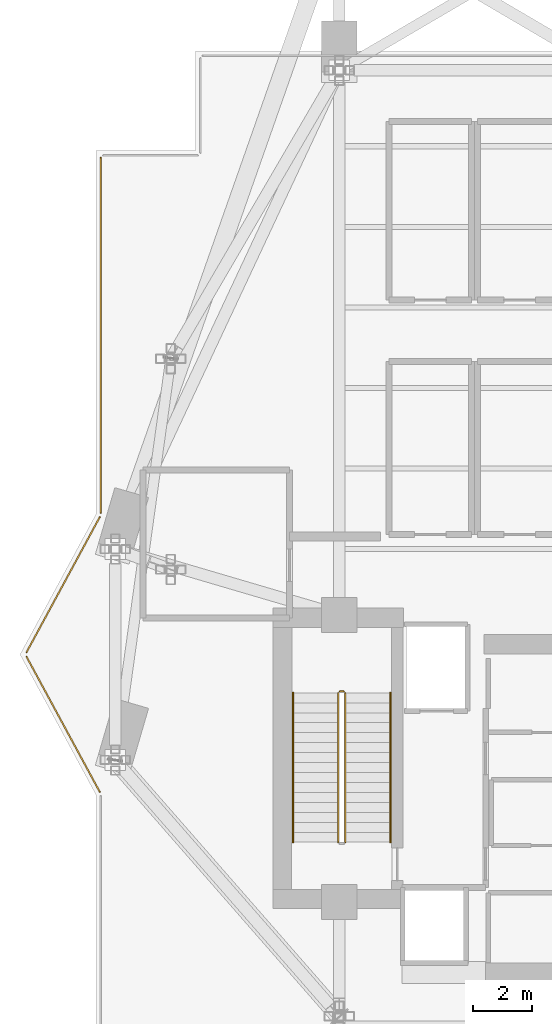
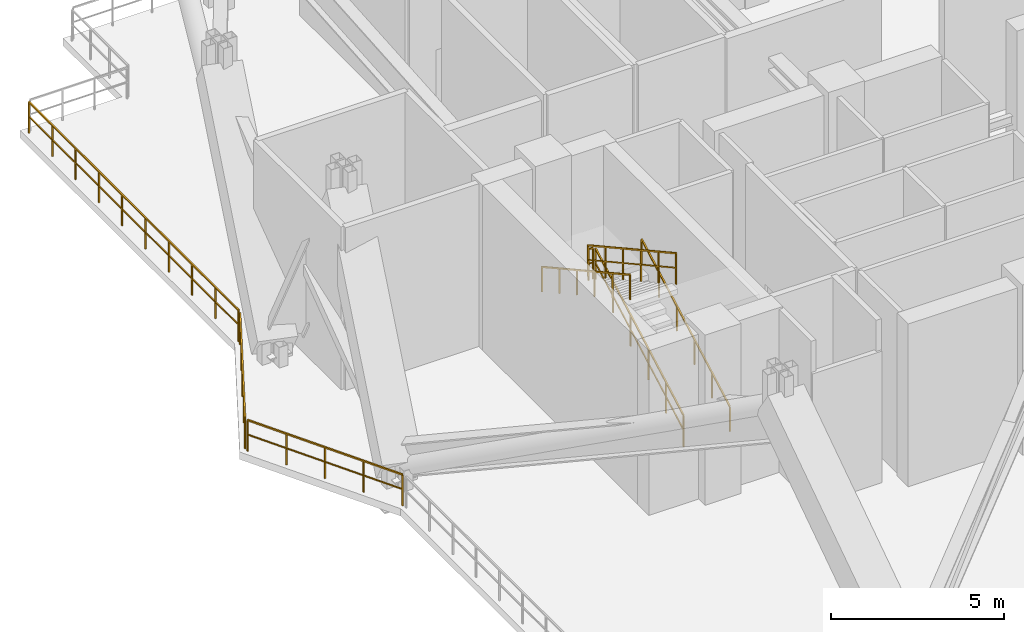
# One storey, part 16 of 18: 8 railings.
"""IFC4 building model written with IfcOpenShell, lengths in metres."""

from ifc_helpers import new_model, si_unit, direction, frame, origin, origin_2d, place, context, subcontext, project, spatial, rectangle, extrude, material, type_object, element, save


model = new_model("IFC4")

# Units and contexts
model_context = context("Model", 3, precision=1e-05, world=origin(), true_north=direction((0.0, 1.0)))
body_context = subcontext(model_context, "Body", "Model", "MODEL_VIEW")
ifc_project = project(units=[si_unit("LENGTHUNIT", "METRE"), si_unit("AREAUNIT", "SQUARE_METRE"), si_unit("VOLUMEUNIT", "CUBIC_METRE"), si_unit("PLANEANGLEUNIT", "RADIAN"), si_unit("MASSUNIT", "GRAM", prefix="KILO")], contexts=[model_context])

# Site, building, storey
site_placement = place(None, origin())
site = spatial("IfcSite", under=ifc_project, at=site_placement, CompositionType="ELEMENT")
building_placement = place(site_placement, origin())
building = spatial("IfcBuilding", under=site, at=building_placement, Name="Zuhayl Quay Hotel", CompositionType="ELEMENT")
storey_placement = place(building_placement, frame((0.0, 0.0, 233.64990234375)))
storey = spatial("IfcBuildingStorey", under=building, at=storey_placement, Name="L59", CompositionType="ELEMENT", Elevation=233.64990234375)

# Railings
ifc_material_1 = material(Name="Anodised Aluminium and Laminated Glass", Category="aluminium")
railing_type_1 = type_object("IfcRailingType", Name="RL_EXT_BAL_1100", PredefinedType="BALUSTRADE", material=ifc_material_1)
railing_1_placement = place(storey_placement, frame((-21.97802734375, 8.310791015625, 0.0)))
element("IfcRailing", 1, at=railing_1_placement, inside=storey, type_object=railing_type_1, Name="L59 Balcony and Terrace Guard GR_WIND_L59_04", PredefinedType="BALUSTRADE", context=body_context, shape_type="SweptSolid", body=[
    extrude(rectangle(XDim=0.048095703125, YDim=0.048095703125, at=origin_2d()), frame((0.0, 0.0, 1.09619140625), z_axis=(-0.476290634663, 0.879287911513, 0.0), x_axis=(-0.879287911513, -0.476290634663, 0.0)), (0.0, 0.0, 1.0), 5.2529296875),
    extrude(rectangle(XDim=0.0361328125, YDim=0.0361328125, at=origin_2d()), frame((0.0, 0.0, 0.58251953125), z_axis=(-0.476290634663, 0.879287911513, 0.0), x_axis=(-0.879287911513, -0.476290634663, 0.0)), (0.0, 0.0, 1.0), 5.2529296875),
    extrude(rectangle(XDim=0.0419921875, YDim=0.0419921875, at=origin_2d()), origin(), (0.0, 0.0, 1.0), 1.072021484375),
    extrude(rectangle(XDim=0.0419921875, YDim=0.0419921875, at=origin_2d()), frame((-0.62548828125, 1.15478515625, 0.0)), (0.0, 0.0, 1.0), 1.072021484375),
    extrude(rectangle(XDim=0.0419921875, YDim=0.0419921875, at=origin_2d()), frame((-1.2509765625, 2.3095703125, 0.0)), (0.0, 0.0, 1.0), 1.072021484375),
    extrude(rectangle(XDim=0.0419921875, YDim=0.0419921875, at=origin_2d()), frame((-1.87646484375, 3.464111328125, 0.0)), (0.0, 0.0, 1.0), 1.072021484375),
    extrude(rectangle(XDim=0.0419921875, YDim=0.0419921875, at=origin_2d()), frame((-2.501953125, 4.618896484375, 0.0)), (0.0, 0.0, 1.0), 1.072021484375),
])
railing_2_placement = place(storey_placement, frame((-24.47998046875, 13.0703125, 0.0)))
element("IfcRailing", 2, at=railing_2_placement, inside=storey, type_object=railing_type_1, Name="L59 Balcony and Terrace Guard GR_WIND_L59_05", PredefinedType="BALUSTRADE", context=body_context, shape_type="SweptSolid", body=[
    extrude(rectangle(XDim=0.048095703125, YDim=0.048095703125, at=origin_2d()), frame((0.0, 0.0, 1.09619140625), z_axis=(0.476290634663, 0.879287911513, 0.0), x_axis=(-0.879287911513, 0.476290634663, 0.0)), (0.0, 0.0, 1.0), 5.2529296875),
    extrude(rectangle(XDim=0.0361328125, YDim=0.0361328125, at=origin_2d()), frame((0.0, 0.0, 0.58251953125), z_axis=(0.476290634663, 0.879287911513, 0.0), x_axis=(-0.879287911513, 0.476290634663, 0.0)), (0.0, 0.0, 1.0), 5.2529296875),
    extrude(rectangle(XDim=0.0419921875, YDim=0.0419921875, at=origin_2d()), origin(), (0.0, 0.0, 1.0), 1.072021484375),
    extrude(rectangle(XDim=0.0419921875, YDim=0.0419921875, at=origin_2d()), frame((0.62548828125, 1.15478515625, 0.0)), (0.0, 0.0, 1.0), 1.072021484375),
    extrude(rectangle(XDim=0.0419921875, YDim=0.0419921875, at=origin_2d()), frame((1.2509765625, 2.3095703125, 0.0)), (0.0, 0.0, 1.0), 1.072021484375),
    extrude(rectangle(XDim=0.0419921875, YDim=0.0419921875, at=origin_2d()), frame((1.87646484375, 3.464111328125, 0.0)), (0.0, 0.0, 1.0), 1.072021484375),
    extrude(rectangle(XDim=0.0419921875, YDim=0.0419921875, at=origin_2d()), frame((2.501953125, 4.618896484375, 0.0)), (0.0, 0.0, 1.0), 1.072021484375),
])
railing_3_placement = place(storey_placement, frame((-21.93994140625, 17.83935546875, 0.0)))
element("IfcRailing", 3, at=railing_3_placement, inside=storey, type_object=railing_type_1, Name="L59 Balcony and Terrace Guard GR_WIND_L59_06", PredefinedType="BALUSTRADE", context=body_context, shape_type="SweptSolid", body=[
    extrude(rectangle(XDim=0.048095703125, YDim=0.048095703125, at=origin_2d()), frame((0.0, 0.0, 1.09619140625), z_axis=(0.0, 1.0, 0.0), x_axis=(-1.0, 0.0, 0.0)), (0.0, 0.0, 1.0), 12.12060546875),
    extrude(rectangle(XDim=0.0361328125, YDim=0.0361328125, at=origin_2d()), frame((0.0, 0.0, 0.58251953125), z_axis=(0.0, 1.0, 0.0), x_axis=(-1.0, 0.0, 0.0)), (0.0, 0.0, 1.0), 12.12060546875),
    extrude(rectangle(XDim=0.0419921875, YDim=0.0419921875, at=origin_2d()), origin(), (0.0, 0.0, 1.0), 1.072021484375),
    extrude(rectangle(XDim=0.0419921875, YDim=0.0419921875, at=origin_2d()), frame((0.0, 1.3466796875, 0.0)), (0.0, 0.0, 1.0), 1.072021484375),
    extrude(rectangle(XDim=0.0419921875, YDim=0.0419921875, at=origin_2d()), frame((0.0, 2.693359375, 0.0)), (0.0, 0.0, 1.0), 1.072021484375),
    extrude(rectangle(XDim=0.0419921875, YDim=0.0419921875, at=origin_2d()), frame((0.0, 4.040283203125, 0.0)), (0.0, 0.0, 1.0), 1.072021484375),
    extrude(rectangle(XDim=0.0419921875, YDim=0.0419921875, at=origin_2d()), frame((0.0, 5.386962890625, 0.0)), (0.0, 0.0, 1.0), 1.072021484375),
    extrude(rectangle(XDim=0.0419921875, YDim=0.0419921875, at=origin_2d()), frame((0.0, 6.733642578125, 0.0)), (0.0, 0.0, 1.0), 1.072021484375),
    extrude(rectangle(XDim=0.0419921875, YDim=0.0419921875, at=origin_2d()), frame((0.0, 8.080322265625, 0.0)), (0.0, 0.0, 1.0), 1.072021484375),
    extrude(rectangle(XDim=0.0419921875, YDim=0.0419921875, at=origin_2d()), frame((0.0, 9.42724609375, 0.0)), (0.0, 0.0, 1.0), 1.072021484375),
    extrude(rectangle(XDim=0.0419921875, YDim=0.0419921875, at=origin_2d()), frame((0.0, 10.77392578125, 0.0)), (0.0, 0.0, 1.0), 1.072021484375),
    extrude(rectangle(XDim=0.0419921875, YDim=0.0419921875, at=origin_2d()), frame((0.0, 12.12060546875, 0.0)), (0.0, 0.0, 1.0), 1.072021484375),
])
ifc_material_2 = material(Name="Steel ASTM A992 Grade 50", Category="steel")
railing_type_2 = type_object("IfcRailingType", Name="RL_GUARD_1100", PredefinedType="GUARDRAIL", material=ifc_material_2)
railing_4_placement = place(storey_placement, frame((-13.590087890625, 6.590087890625, 0.1875)))
element("IfcRailing", 4, at=railing_4_placement, inside=storey, type_object=railing_type_2, Name="L59 ST1 stair guard 1", PredefinedType="GUARDRAIL", context=body_context, shape_type="SweptSolid", body=[
    extrude(rectangle(XDim=0.048095703125, YDim=0.048095703125, at=origin_2d()), frame((0.0, 0.0, 1.09619140625), z_axis=(0.0, 0.875665712831, 0.482917756322), x_axis=(-1.0, 0.0, 0.0)), (0.0, 0.0, 1.0), 5.823974609375),
    extrude(rectangle(XDim=0.0361328125, YDim=0.0361328125, at=origin_2d()), frame((0.0, 0.0, 0.58251953125), z_axis=(0.0, 0.875665712831, 0.482917756322), x_axis=(-1.0, 0.0, 0.0)), (0.0, 0.0, 1.0), 5.823974609375),
    extrude(rectangle(XDim=0.0419921875, YDim=0.0419921875, at=origin_2d()), origin(), (0.0, 0.0, 1.0), 1.072021484375),
    extrude(rectangle(XDim=0.0419921875, YDim=0.0419921875, at=origin_2d()), frame((0.0, 1.02001953125, 0.5625)), (0.0, 0.0, 1.0), 1.072021484375),
    extrude(rectangle(XDim=0.0419921875, YDim=0.0419921875, at=origin_2d()), frame((0.0, 2.0400390625, 1.125)), (0.0, 0.0, 1.0), 1.072021484375),
    extrude(rectangle(XDim=0.0419921875, YDim=0.0419921875, at=origin_2d()), frame((0.0, 3.059814453125, 1.6875)), (0.0, 0.0, 1.0), 1.072021484375),
    extrude(rectangle(XDim=0.0419921875, YDim=0.0419921875, at=origin_2d()), frame((0.0, 4.079833984375, 2.25)), (0.0, 0.0, 1.0), 1.072021484375),
    extrude(rectangle(XDim=0.0419921875, YDim=0.0419921875, at=origin_2d()), frame((0.0, 5.099853515625, 2.8125)), (0.0, 0.0, 1.0), 1.072021484375),
])
railing_5_placement = place(storey_placement, frame((-13.639892578125, 11.739990234375, 3.0)))
element("IfcRailing", 5, at=railing_5_placement, inside=storey, type_object=railing_type_2, Name="L59 ST1 stair guard 2", PredefinedType="GUARDRAIL", context=body_context, shape_type="SweptSolid", body=[
    extrude(rectangle(XDim=0.048095703125, YDim=0.048095703125, at=origin_2d()), frame((0.0, 0.0, 1.09619140625), z_axis=(-1.0, 0.0, 0.0), x_axis=(0.0, -1.0, 0.0)), (0.0, 0.0, 1.0), 0.150146484375),
    extrude(rectangle(XDim=0.0361328125, YDim=0.0361328125, at=origin_2d()), frame((0.0, 0.0, 0.58251953125), z_axis=(-1.0, 0.0, 0.0), x_axis=(0.0, -1.0, 0.0)), (0.0, 0.0, 1.0), 0.150146484375),
    extrude(rectangle(XDim=0.0419921875, YDim=0.0419921875, at=origin_2d()), origin(), (0.0, 0.0, 1.0), 1.072021484375),
    extrude(rectangle(XDim=0.0419921875, YDim=0.0419921875, at=origin_2d()), frame((-0.150146484375, 0.0, 0.0)), (0.0, 0.0, 1.0), 1.072021484375),
])
railing_6_placement = place(storey_placement, frame((-13.840087890625, 11.68994140625, 3.1875)))
element("IfcRailing", 6, at=railing_6_placement, inside=storey, type_object=railing_type_2, Name="L59 ST1 stair guard 3", PredefinedType="GUARDRAIL", context=body_context, shape_type="SweptSolid", body=[
    extrude(rectangle(XDim=0.048095703125, YDim=0.048095703125, at=origin_2d()), frame((0.0, 0.0, 1.09619140625), z_axis=(0.0, -0.875665712831, 0.482917756322), x_axis=(1.0, 0.0, 0.0)), (0.0, 0.0, 1.0), 5.823974609375),
    extrude(rectangle(XDim=0.0361328125, YDim=0.0361328125, at=origin_2d()), frame((0.0, 0.0, 0.58251953125), z_axis=(0.0, -0.875665712831, 0.482917756322), x_axis=(1.0, 0.0, 0.0)), (0.0, 0.0, 1.0), 5.823974609375),
    extrude(rectangle(XDim=0.0419921875, YDim=0.0419921875, at=origin_2d()), origin(), (0.0, 0.0, 1.0), 1.072021484375),
    extrude(rectangle(XDim=0.0419921875, YDim=0.0419921875, at=origin_2d()), frame((0.0, -1.02001953125, 0.5625)), (0.0, 0.0, 1.0), 1.072021484375),
    extrude(rectangle(XDim=0.0419921875, YDim=0.0419921875, at=origin_2d()), frame((0.0, -2.0400390625, 1.125)), (0.0, 0.0, 1.0), 1.072021484375),
    extrude(rectangle(XDim=0.0419921875, YDim=0.0419921875, at=origin_2d()), frame((0.0, -3.059814453125, 1.6875)), (0.0, 0.0, 1.0), 1.072021484375),
    extrude(rectangle(XDim=0.0419921875, YDim=0.0419921875, at=origin_2d()), frame((0.0, -4.079833984375, 2.25)), (0.0, 0.0, 1.0), 1.072021484375),
    extrude(rectangle(XDim=0.0419921875, YDim=0.0419921875, at=origin_2d()), frame((0.0, -5.099853515625, 2.8125)), (0.0, 0.0, 1.0), 1.072021484375),
])
railing_type_3 = type_object("IfcRailingType", Name="RL_HANDRAIL_920", PredefinedType="HANDRAIL", material=ifc_material_2)
railing_7_placement = place(storey_placement, frame((-12.050048828125, 6.590087890625, 0.1875)))
element("IfcRailing", 7, at=railing_7_placement, inside=storey, type_object=railing_type_3, Name="L59 ST1 stair handrail 1", PredefinedType="HANDRAIL", context=body_context, shape_type="SweptSolid", body=[
    extrude(rectangle(XDim=0.048095703125, YDim=0.048095703125, at=origin_2d()), frame((0.0, 0.0, 0.8759765625), z_axis=(0.0, 0.875665712831, 0.482917756322), x_axis=(-1.0, 0.0, 0.0)), (0.0, 0.0, 1.0), 5.823974609375),
    extrude(rectangle(XDim=0.0419921875, YDim=0.0419921875, at=origin_2d()), origin(), (0.0, 0.0, 1.0), 0.851806640625),
    extrude(rectangle(XDim=0.0419921875, YDim=0.0419921875, at=origin_2d()), frame((0.0, 1.02001953125, 0.5625)), (0.0, 0.0, 1.0), 0.851806640625),
    extrude(rectangle(XDim=0.0419921875, YDim=0.0419921875, at=origin_2d()), frame((0.0, 2.0400390625, 1.125)), (0.0, 0.0, 1.0), 0.851806640625),
    extrude(rectangle(XDim=0.0419921875, YDim=0.0419921875, at=origin_2d()), frame((0.0, 3.059814453125, 1.6875)), (0.0, 0.0, 1.0), 0.851806640625),
    extrude(rectangle(XDim=0.0419921875, YDim=0.0419921875, at=origin_2d()), frame((0.0, 4.079833984375, 2.25)), (0.0, 0.0, 1.0), 0.851806640625),
    extrude(rectangle(XDim=0.0419921875, YDim=0.0419921875, at=origin_2d()), frame((0.0, 5.099853515625, 2.8125)), (0.0, 0.0, 1.0), 0.851806640625),
])
railing_8_placement = place(storey_placement, frame((-15.3798828125, 11.68994140625, 3.1875)))
element("IfcRailing", 8, at=railing_8_placement, inside=storey, type_object=railing_type_3, Name="L59 ST1 stair handrail 2", PredefinedType="HANDRAIL", context=body_context, shape_type="SweptSolid", body=[
    extrude(rectangle(XDim=0.048095703125, YDim=0.048095703125, at=origin_2d()), frame((0.0, 0.0, 0.8759765625), z_axis=(0.0, -0.875665712831, 0.482917756322), x_axis=(1.0, 0.0, 0.0)), (0.0, 0.0, 1.0), 5.823974609375),
    extrude(rectangle(XDim=0.0419921875, YDim=0.0419921875, at=origin_2d()), origin(), (0.0, 0.0, 1.0), 0.851806640625),
    extrude(rectangle(XDim=0.0419921875, YDim=0.0419921875, at=origin_2d()), frame((0.0, -1.02001953125, 0.5625)), (0.0, 0.0, 1.0), 0.851806640625),
    extrude(rectangle(XDim=0.0419921875, YDim=0.0419921875, at=origin_2d()), frame((0.0, -2.0400390625, 1.125)), (0.0, 0.0, 1.0), 0.851806640625),
    extrude(rectangle(XDim=0.0419921875, YDim=0.0419921875, at=origin_2d()), frame((0.0, -3.059814453125, 1.6875)), (0.0, 0.0, 1.0), 0.851806640625),
    extrude(rectangle(XDim=0.0419921875, YDim=0.0419921875, at=origin_2d()), frame((0.0, -4.079833984375, 2.25)), (0.0, 0.0, 1.0), 0.851806640625),
    extrude(rectangle(XDim=0.0419921875, YDim=0.0419921875, at=origin_2d()), frame((0.0, -5.099853515625, 2.8125)), (0.0, 0.0, 1.0), 0.851806640625),
])

save(model, "model.ifc")
